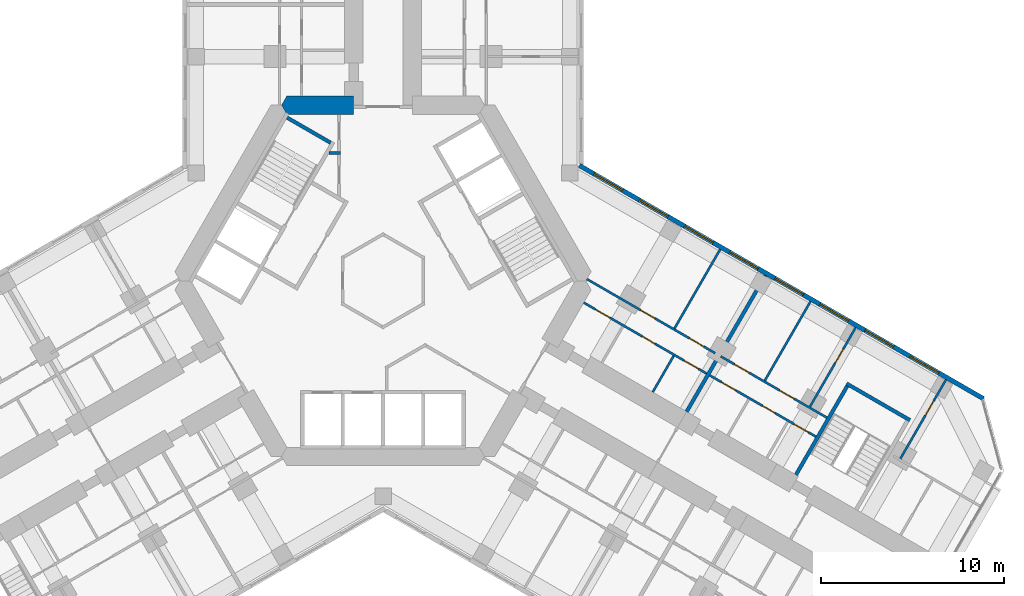
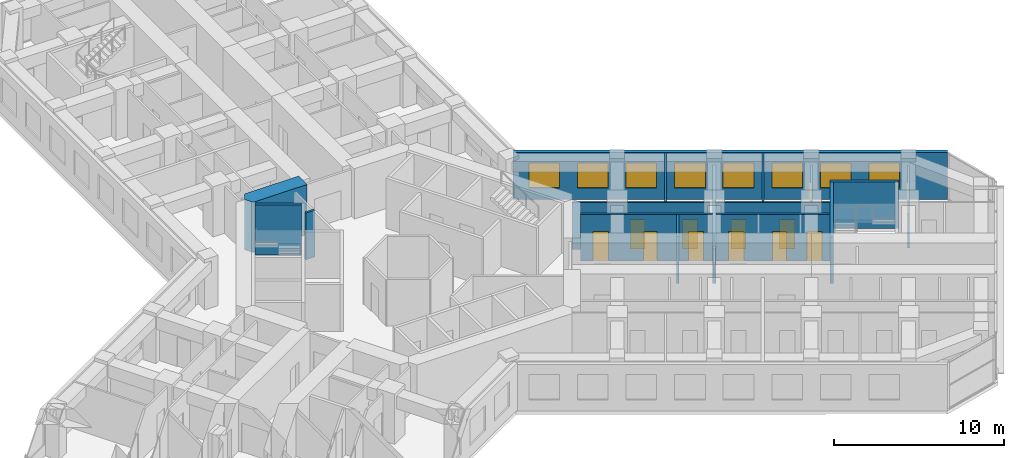
# One storey, part 16 of 21: 16 walls, 12 doors, 8 windows, 20 openings.
"""IFC4 building model written with IfcOpenShell, lengths in metres."""

import ifcopenshell
import ifcopenshell.guid

model = None  # the IFC model being written
_history = None  # IfcOwnerHistory: only IFC2X3 demands one
_inside = {}  # id of a spatial element -> (the spatial element, [elements in it])
_under = {}  # id of a project, library or spatial element -> (it, [spatial elements below it])
_declared = {}  # id of a project -> (the project, [libraries it declares])
_typed = {}  # id of a type object -> (the type object, [elements of that type])
_made_of = {}  # id of a material, layer set ... -> (it, [elements and type objects made of it])


def new_model(schema):
    """Start an empty IFC model of exactly this schema.

    Asked for "IFC4X3", IfcOpenShell would pick the latest addendum, in which some entities
    have other attributes; the version numbers below select the first issue.
    IFC2X3 requires an IfcOwnerHistory on every rooted entity: one is made here for all.
    """
    global model, _history
    if schema == "IFC4X3":
        model = ifcopenshell.file(schema_version=(4, 3, 0, 0))
    else:
        model = ifcopenshell.file(schema=schema)
    _inside.clear()
    _under.clear()
    _declared.clear()
    _typed.clear()
    _made_of.clear()
    _history = None
    if model.schema == "IFC2X3":
        org = make("IfcOrganization", Name="unknown")
        user = make(
            "IfcPersonAndOrganization",
            ThePerson=make("IfcPerson", FamilyName="unknown"),
            TheOrganization=org,
        )
        app = make(
            "IfcApplication",
            ApplicationDeveloper=org,
            Version="unknown",
            ApplicationFullName="unknown",
            ApplicationIdentifier="unknown",
        )
        _history = make(
            "IfcOwnerHistory",
            OwningUser=user,
            OwningApplication=app,
            ChangeAction="ADDED",
            CreationDate=0,
        )
    return model


def make(cls, **values):
    """One entity of the class cls with the attributes given. An attribute that is None is left unset."""
    return model.create_entity(
        cls, **{name: value for name, value in values.items() if value is not None}
    )


def rooted(cls, **values):
    """An entity with a GlobalId (a new one), such as an element, a storey or a relation."""
    return make(cls, GlobalId=ifcopenshell.guid.new(), OwnerHistory=_history, **values)


def si_unit(unit_type, name, prefix=None):
    """IfcSIUnit, for example si_unit("LENGTHUNIT", "METRE", prefix="MILLI")."""
    return make("IfcSIUnit", UnitType=unit_type, Prefix=prefix, Name=name)


def assignment(units):
    """IfcUnitAssignment: the units of a project."""
    return None if units is None else make("IfcUnitAssignment", Units=units)


def point(xyz):
    """IfcCartesianPoint."""
    return None if xyz is None else make("IfcCartesianPoint", Coordinates=xyz)


def direction(xyz):
    """IfcDirection."""
    return None if xyz is None else make("IfcDirection", DirectionRatios=xyz)


def frame(location, z_axis=None, x_axis=None):
    """IfcAxis2Placement3D, a coordinate frame: its origin and axes. An axis left out is left unset."""
    return make(
        "IfcAxis2Placement3D",
        Location=point(location),
        Axis=direction(z_axis),
        RefDirection=direction(x_axis),
    )


def frame_2d(location, x_axis=None):
    """IfcAxis2Placement2D, a coordinate frame in the plane: its origin and x axis."""
    return make(
        "IfcAxis2Placement2D", Location=point(location), RefDirection=direction(x_axis)
    )


def origin():
    """The frame at (0, 0, 0) with its axes left unset."""
    return frame((0.0, 0.0, 0.0))


def place(relative_to, where):
    """IfcLocalPlacement: puts the frame where relative to a parent placement (None: the world)."""
    return make(
        "IfcLocalPlacement", PlacementRelTo=relative_to, RelativePlacement=where
    )


def context(
    kind, dimensions, precision=None, world=None, true_north=None, identifier=None
):
    """IfcGeometricRepresentationContext, for example the 3D "Model" context."""
    return make(
        "IfcGeometricRepresentationContext",
        ContextIdentifier=identifier,
        ContextType=kind,
        CoordinateSpaceDimension=dimensions,
        Precision=precision,
        WorldCoordinateSystem=world,
        TrueNorth=true_north,
    )


def subcontext(parent, identifier, kind, view, scale=None):
    """IfcGeometricRepresentationSubContext, for example "Body" below "Model"."""
    return make(
        "IfcGeometricRepresentationSubContext",
        ContextIdentifier=identifier,
        ContextType=kind,
        ParentContext=parent,
        TargetScale=scale,
        TargetView=view,
    )


def project(units=None, contexts=None):
    """IfcProject with its units and contexts."""
    return rooted(
        "IfcProject",
        Name="project",
        RepresentationContexts=contexts,
        UnitsInContext=assignment(units),
    )


def spatial(cls, under=None, at=None, **own):
    """A site, building, storey or space (cls), placed at a placement, below another one or the project."""
    s = rooted(cls, ObjectPlacement=at, **own)
    if under is not None:
        _under.setdefault(under.id(), (under, []))[1].append(s)
    return s


def polyline(points):
    """IfcPolyline through the points."""
    return make("IfcPolyline", Points=[point(p) for p in points])


def profile(cls, at=None, kind="AREA", **sizes):
    """A parametric profile (cls). Its sizes go by their IFC names, for example OverallWidth=200.0."""
    return make(cls, ProfileType=kind, Position=at, **sizes)


def rectangle(**sizes):
    """IfcRectangleProfileDef."""
    return profile("IfcRectangleProfileDef", **sizes)


def outline(outer, holes=None, kind="AREA"):
    """IfcArbitraryClosedProfileDef: a profile drawn as a closed curve; with holes, ...WithVoids."""
    if holes is None:
        return make("IfcArbitraryClosedProfileDef", ProfileType=kind, OuterCurve=outer)
    return make(
        "IfcArbitraryProfileDefWithVoids",
        ProfileType=kind,
        OuterCurve=outer,
        InnerCurves=holes,
    )


def extrude(swept, where, along, depth):
    """IfcExtrudedAreaSolid: the profile swept, set in the frame where, extruded along a direction by depth."""
    return make(
        "IfcExtrudedAreaSolid",
        SweptArea=swept,
        Position=where,
        ExtrudedDirection=direction(along),
        Depth=depth,
    )


def shape(context_of_items, identifier, shape_type, items):
    """IfcShapeRepresentation: the items that make up one representation, for example the "Body"."""
    return make(
        "IfcShapeRepresentation",
        ContextOfItems=context_of_items,
        RepresentationIdentifier=identifier,
        RepresentationType=shape_type,
        Items=items,
    )


def material(Name=None, Category=None):
    """IfcMaterial."""
    return make("IfcMaterial", Name=Name, Category=Category)


def layer(
    of_material, thickness, ventilated=None, Name=None, Category=None, Priority=None
):
    """IfcMaterialLayer: one layer of a wall or slab, of a material (None: an air gap)."""
    return make(
        "IfcMaterialLayer",
        Material=of_material,
        LayerThickness=thickness,
        IsVentilated=ventilated,
        Name=Name,
        Category=Category,
        Priority=Priority,
    )


def layer_set(layers, Name=None):
    """IfcMaterialLayerSet."""
    return make("IfcMaterialLayerSet", MaterialLayers=layers, LayerSetName=Name)


def made_of(thing, what):
    """Note that an element or type object is made of a material, layer set ...; save() writes the relation."""
    if what is not None:
        _made_of.setdefault(what.id(), (what, []))[1].append(thing)
    return thing


def type_object(cls, material=None, **own):
    """A type object (cls), such as IfcWallType, which elements share."""
    return made_of(rooted(cls, **own), material)


def element(
    cls,
    number,
    at=None,
    inside=None,
    cuts=None,
    type_object=None,
    material=None,
    context=None,
    identifier="Body",
    shape_type=None,
    held_by="IfcProductDefinitionShape",
    body=None,
    shapes=None,
    **own,
):
    """One element of the class cls, such as IfcWall. Its Tag is "e" and its number.

    at: its placement. inside: the storey or other place that contains it. cuts: it is an
    opening in that element (IfcRelVoidsElement). A single representation is given by context,
    identifier, shape_type and body (its items); several are given by shapes. held_by: the class
    of the entity that holds the representations. save() writes the other relations.
    """
    e = rooted(cls, Tag="e%d" % number, ObjectPlacement=at, **own)
    if body is not None:
        shapes = [shape(context, identifier, shape_type, body)]
    if shapes is not None:
        e.Representation = make(held_by, Representations=shapes)
    if inside is not None:
        _inside.setdefault(inside.id(), (inside, []))[1].append(e)
    if cuts is not None:
        rooted(
            "IfcRelVoidsElement", RelatingBuildingElement=cuts, RelatedOpeningElement=e
        )
    if type_object is not None:
        _typed.setdefault(type_object.id(), (type_object, []))[1].append(e)
    return made_of(e, material)


def fill(opening, filler):
    """IfcRelFillsElement: the door or window that sits in an opening."""
    return rooted(
        "IfcRelFillsElement",
        RelatingOpeningElement=opening,
        RelatedBuildingElement=filler,
    )


def aggregate(whole, parts):
    """IfcRelAggregates: a whole, such as a stair, and the parts it consists of."""
    return rooted("IfcRelAggregates", RelatingObject=whole, RelatedObjects=parts)


def save(model, path):
    """Write the relations noted so far, then the file.

    IfcRelAggregates (storeys below a building ...), IfcRelContainedInSpatialStructure (elements
    in a storey), IfcRelDefinesByType, IfcRelAssociatesMaterial and IfcRelDeclares: one each for
    every whole, place, type object, material and project.
    """
    for whole, parts in _under.values():
        aggregate(whole, parts)
    for where, things in _inside.values():
        rooted(
            "IfcRelContainedInSpatialStructure",
            RelatedElements=things,
            RelatingStructure=where,
        )
    for kind, things in _typed.values():
        rooted("IfcRelDefinesByType", RelatedObjects=things, RelatingType=kind)
    for what, things in _made_of.values():
        rooted("IfcRelAssociatesMaterial", RelatedObjects=things, RelatingMaterial=what)
    for by, libraries in _declared.values():
        rooted("IfcRelDeclares", RelatingContext=by, RelatedDefinitions=libraries)
    model.write(path)


model = new_model("IFC4")

# Units and contexts
model_context = context("Model", 3, precision=1e-05, world=origin(), true_north=direction((0.0, 1.0)))
body_context = subcontext(model_context, "Body", "Model", "MODEL_VIEW")
ifc_project = project(units=[si_unit("LENGTHUNIT", "METRE"), si_unit("AREAUNIT", "SQUARE_METRE"), si_unit("VOLUMEUNIT", "CUBIC_METRE"), si_unit("PLANEANGLEUNIT", "RADIAN"), si_unit("MASSUNIT", "GRAM", prefix="KILO")], contexts=[model_context])

# Site, building, storey
site_placement = place(None, origin())
site = spatial("IfcSite", under=ifc_project, at=site_placement, CompositionType="ELEMENT")
building_placement = place(site_placement, origin())
building = spatial("IfcBuilding", under=site, at=building_placement, Name="Kosmar Iwan School Tower", CompositionType="ELEMENT")
storey_placement = place(building_placement, frame((0.0, 0.0, 106.0)))
storey = spatial("IfcBuildingStorey", under=building, at=storey_placement, Name="L26", CompositionType="ELEMENT", Elevation=106.0)

# Walls
ifc_material_1 = material(Name="Gypsum board on steel studs, fire-rated", Category="steel")
ifc_layer_1 = layer(ifc_material_1, 0.14990234375)
ifc_layer_set_1 = layer_set([ifc_layer_1], Name="Core room partition 150")
wall_type_1 = type_object("IfcWallType", Name="Core room partition 150", PredefinedType="PARTITIONING", material=ifc_layer_set_1)
wall_1_placement = place(storey_placement, frame((-2.324951171875, 6.985107421875, 0.0), z_axis=(0.0, 0.0, 1.0), x_axis=(-1.0, 0.0, 0.0)))
element("IfcWall", 1, at=wall_1_placement, inside=storey, type_object=wall_type_1, Name="Core room partition L26-CW2", PredefinedType="PARTITIONING", context=body_context, shape_type="SweptSolid", body=[
    extrude(rectangle(XDim=0.623779296875, YDim=0.14990234375, at=frame_2d((0.31201171875, 0.0))), origin(), (0.0, 0.0, 1.0), 3.35009765625),
])
ifc_material_2 = material(Name="Concrete C50/60", Category="concrete")
ifc_layer_2 = layer(ifc_material_2, 1.0)
ifc_layer_set_2 = layer_set([ifc_layer_2], Name="Core wall 1000")
wall_type_2 = type_object("IfcWallType", Name="Core wall 1000", PredefinedType="SHEAR", material=ifc_layer_set_2)
wall_2_placement = place(storey_placement, origin())
element("IfcWall", 2, at=wall_2_placement, inside=storey, type_object=wall_type_2, Name="Core wall F090b", PredefinedType="SHEAR", context=body_context, shape_type="SweptSolid", body=[
    extrude(outline(polyline([(-5.25390625, 9.10009765625), (-1.60009765625, 9.10009765625), (-1.60009765625, 10.10009765625), (-5.25390625, 10.10009765625), (-5.54248046875, 9.60009765625), (-5.25390625, 9.10009765625)])), origin(), (0.0, 0.0, 1.0), 3.60009765625),
])

# Wall, openings, doors
ifc_material_3 = material(Name="Gypsum board on steel studs", Category="steel")
ifc_layer_3 = layer(ifc_material_3, 0.1201171875)
ifc_layer_set_3 = layer_set([ifc_layer_3], Name="Dwelling partition 120")
wall_type_3 = type_object("IfcWallType", Name="Dwelling partition 120", PredefinedType="PARTITIONING", material=ifc_layer_set_3)
wall_3_placement = place(storey_placement, frame((10.971923828125, -1.1962890625, 0.0), z_axis=(0.0, 0.0, 1.0), x_axis=(0.866024534185, -0.500001506187, 0.0)))
wall_3 = element("IfcWall", 3, at=wall_3_placement, inside=storey, type_object=wall_type_3, Name="Partition L26-CL1-W1", PredefinedType="PARTITIONING", context=body_context, shape_type="SweptSolid", body=[
    extrude(rectangle(XDim=7.75, YDim=0.1201171875, at=frame_2d((3.875, 0.0))), origin(), (0.0, 0.0, 1.0), 3.35009765625),
])
opening_1_placement = place(wall_3_placement, frame((0.75, 0.0, 0.0)))
opening_1 = element("IfcOpeningElement", 4, at=opening_1_placement, cuts=wall_3, Name="Opening D2", PredefinedType="OPENING", context=body_context, shape_type="SweptSolid", body=[
    extrude(rectangle(XDim=0.89990234375, YDim=2.10009765625, at=frame_2d((0.449951171875, 1.050048828125))), frame((0.0, 0.072021484375, 0.0), z_axis=(0.0, -1.0, 0.0), x_axis=(1.0, 0.0, 0.0)), (0.0, 0.0, 1.0), 0.14404296875),
])
opening_2_placement = place(wall_3_placement, frame((3.705078125, 0.0, 0.0)))
opening_2 = element("IfcOpeningElement", 5, at=opening_2_placement, cuts=wall_3, Name="Opening D3", PredefinedType="OPENING", context=body_context, shape_type="SweptSolid", body=[
    extrude(rectangle(XDim=0.800048828125, YDim=2.10009765625, at=frame_2d((0.39990234375, 1.050048828125))), frame((0.0, 0.072021484375, 0.0), z_axis=(0.0, -1.0, 0.0), x_axis=(1.0, 0.0, 0.0)), (0.0, 0.0, 1.0), 0.14404296875),
])
opening_3_placement = place(wall_3_placement, frame((6.330078125, 0.0, 0.0)))
opening_3 = element("IfcOpeningElement", 6, at=opening_3_placement, cuts=wall_3, Name="Opening D2", PredefinedType="OPENING", context=body_context, shape_type="SweptSolid", body=[
    extrude(rectangle(XDim=0.89990234375, YDim=2.10009765625, at=frame_2d((0.449951171875, 1.050048828125))), frame((0.0, 0.072021484375, 0.0), z_axis=(0.0, -1.0, 0.0), x_axis=(1.0, 0.0, 0.0)), (0.0, 0.0, 1.0), 0.14404296875),
])
ifc_material_4 = material(Name="Timber door in timber frame", Category="wood")
door_type_1 = type_object("IfcDoorType", Name="Internal door 900x2100", OperationType="SINGLE_SWING_LEFT", PredefinedType="DOOR", material=ifc_material_4)
door_1_placement = place(opening_1_placement, origin())
door_1 = element("IfcDoor", 7, at=door_1_placement, inside=storey, type_object=door_type_1, Name="Entrance hall door L26-CL1-S1", OperationType="SINGLE_SWING_LEFT", OverallHeight=2.10009765625, OverallWidth=0.89990234375, PredefinedType="DOOR", context=body_context, shape_type="SweptSolid", body=[
    extrude(rectangle(XDim=0.89990234375, YDim=2.10009765625, at=frame_2d((0.449951171875, 1.050048828125))), frame((0.0, 0.02490234375, 0.0), z_axis=(0.0, -1.0, 0.0), x_axis=(1.0, 0.0, 0.0)), (0.0, 0.0, 1.0), 0.050048828125),
])
fill(opening_1, door_1)
door_2_placement = place(opening_3_placement, origin())
door_2 = element("IfcDoor", 8, at=door_2_placement, inside=storey, type_object=door_type_1, Name="Pantry door L26-CL1-S3", OperationType="SINGLE_SWING_RIGHT", OverallHeight=2.10009765625, OverallWidth=0.89990234375, PredefinedType="DOOR", context=body_context, shape_type="SweptSolid", body=[
    extrude(rectangle(XDim=0.89990234375, YDim=2.10009765625, at=frame_2d((0.449951171875, 1.050048828125))), frame((0.0, 0.02490234375, 0.0), z_axis=(0.0, -1.0, 0.0), x_axis=(1.0, 0.0, 0.0)), (0.0, 0.0, 1.0), 0.050048828125),
])
fill(opening_3, door_2)
ifc_material_5 = material(Name="Timber door in timber frame", Category="wood")
door_type_2 = type_object("IfcDoorType", Name="Sanitary room door 800x2100", OperationType="SINGLE_SWING_LEFT", PredefinedType="DOOR", material=ifc_material_5)
door_3_placement = place(opening_2_placement, origin())
door_3 = element("IfcDoor", 9, at=door_3_placement, inside=storey, type_object=door_type_2, Name="Bathroom door L26-CL1-S2", OperationType="SINGLE_SWING_RIGHT", OverallHeight=2.10009765625, OverallWidth=0.800048828125, PredefinedType="DOOR", context=body_context, shape_type="SweptSolid", body=[
    extrude(rectangle(XDim=0.800048828125, YDim=2.10009765625, at=frame_2d((0.39990234375, 1.050048828125))), frame((0.0, 0.02490234375, 0.0), z_axis=(0.0, -1.0, 0.0), x_axis=(1.0, 0.0, 0.0)), (0.0, 0.0, 1.0), 0.050048828125),
])
fill(opening_2, door_3)

wall_4_placement = place(storey_placement, frame((11.138916015625, 0.093017578125, 0.0), z_axis=(0.0, 0.0, 1.0), x_axis=(0.866017937352, -0.500012932018, 0.0)))
wall_4 = element("IfcWall", 10, at=wall_4_placement, inside=storey, type_object=wall_type_3, Name="Partition L26-CL1-W2", PredefinedType="PARTITIONING", context=body_context, shape_type="SweptSolid", body=[
    extrude(rectangle(XDim=8.099853515625, YDim=0.1201171875, at=frame_2d((4.0498046875, 0.0))), origin(), (0.0, 0.0, 1.0), 3.35009765625),
])
opening_4_placement = place(wall_4_placement, frame((3.39990234375, 0.0, 0.0)))
opening_4 = element("IfcOpeningElement", 11, at=opening_4_placement, cuts=wall_4, Name="Opening D2", PredefinedType="OPENING", context=body_context, shape_type="SweptSolid", body=[
    extrude(rectangle(XDim=0.89990234375, YDim=2.10009765625, at=frame_2d((0.449951171875, 1.050048828125))), frame((0.0, 0.072021484375, 0.0), z_axis=(0.0, -1.0, 0.0), x_axis=(1.0, 0.0, 0.0)), (0.0, 0.0, 1.0), 0.14404296875),
])
opening_5_placement = place(wall_4_placement, frame((6.47509765625, 0.0, 0.0)))
opening_5 = element("IfcOpeningElement", 12, at=opening_5_placement, cuts=wall_4, Name="Opening D2", PredefinedType="OPENING", context=body_context, shape_type="SweptSolid", body=[
    extrude(rectangle(XDim=0.89990234375, YDim=2.10009765625, at=frame_2d((0.449951171875, 1.050048828125))), frame((0.0, 0.072021484375, 0.0), z_axis=(0.0, -1.0, 0.0), x_axis=(1.0, 0.0, 0.0)), (0.0, 0.0, 1.0), 0.14404296875),
])
door_4_placement = place(opening_4_placement, origin())
door_4 = element("IfcDoor", 13, at=door_4_placement, inside=storey, type_object=door_type_1, Name="Living room and kitchen door L26-CL1-F1", OperationType="SINGLE_SWING_RIGHT", OverallHeight=2.10009765625, OverallWidth=0.89990234375, PredefinedType="DOOR", context=body_context, shape_type="SweptSolid", body=[
    extrude(rectangle(XDim=0.89990234375, YDim=2.10009765625, at=frame_2d((0.449951171875, 1.050048828125))), frame((0.0, 0.02490234375, 0.0), z_axis=(0.0, -1.0, 0.0), x_axis=(1.0, 0.0, 0.0)), (0.0, 0.0, 1.0), 0.050048828125),
])
fill(opening_4, door_4)
door_5_placement = place(opening_5_placement, origin())
door_5 = element("IfcDoor", 14, at=door_5_placement, inside=storey, type_object=door_type_1, Name="Bedroom 1 door L26-CL1-F2", OperationType="SINGLE_SWING_RIGHT", OverallHeight=2.10009765625, OverallWidth=0.89990234375, PredefinedType="DOOR", context=body_context, shape_type="SweptSolid", body=[
    extrude(rectangle(XDim=0.89990234375, YDim=2.10009765625, at=frame_2d((0.449951171875, 1.050048828125))), frame((0.0, 0.02490234375, 0.0), z_axis=(0.0, -1.0, 0.0), x_axis=(1.0, 0.0, 0.0)), (0.0, 0.0, 1.0), 0.050048828125),
])
fill(opening_5, door_5)

# Walls
wall_5_placement = place(storey_placement, frame((15.931884765625, -2.60498046875, 0.0), z_axis=(0.0, 0.0, 1.0), x_axis=(0.500011847778, 0.866018563358, 0.0)))
element("IfcWall", 15, at=wall_5_placement, inside=storey, type_object=wall_type_3, Name="Partition L26-CL1-X1", PredefinedType="PARTITIONING", context=body_context, shape_type="SweptSolid", body=[
    extrude(rectangle(XDim=4.990234375, YDim=0.1201171875, at=frame_2d((2.4951171875, 0.0))), origin(), (0.0, 0.0, 1.0), 3.35009765625),
])
wall_6_placement = place(storey_placement, frame((14.741943359375, -6.08642578125, 0.0), z_axis=(0.0, 0.0, 1.0), x_axis=(0.499968531483, 0.866043571379, 0.0)))
element("IfcWall", 16, at=wall_6_placement, inside=storey, type_object=wall_type_3, Name="Partition L26-CL1-Y2", PredefinedType="PARTITIONING", context=body_context, shape_type="SweptSolid", body=[
    extrude(rectangle(XDim=2.290283203125, YDim=0.1201171875, at=frame_2d((1.14501953125, 0.0))), origin(), (0.0, 0.0, 1.0), 3.35009765625),
])

# Wall, openings, doors
wall_7_placement = place(storey_placement, frame((17.856689453125, -5.171142578125, 0.0), z_axis=(0.0, 0.0, 1.0), x_axis=(0.866023571113, -0.500003174267, 0.0)))
wall_7 = element("IfcWall", 17, at=wall_7_placement, inside=storey, type_object=wall_type_3, Name="Partition L26-CL2-W1", PredefinedType="PARTITIONING", context=body_context, shape_type="SweptSolid", body=[
    extrude(rectangle(XDim=6.7001953125, YDim=0.1201171875, at=frame_2d((3.35009765625, 0.0))), origin(), (0.0, 0.0, 1.0), 3.35009765625),
])
opening_6_placement = place(wall_7_placement, frame((0.75, 0.0, 0.0)))
opening_6 = element("IfcOpeningElement", 18, at=opening_6_placement, cuts=wall_7, Name="Opening D2", PredefinedType="OPENING", context=body_context, shape_type="SweptSolid", body=[
    extrude(rectangle(XDim=0.89990234375, YDim=2.10009765625, at=frame_2d((0.449951171875, 1.050048828125))), frame((0.0, 0.072021484375, 0.0), z_axis=(0.0, -1.0, 0.0), x_axis=(1.0, 0.0, 0.0)), (0.0, 0.0, 1.0), 0.14404296875),
])
opening_7_placement = place(wall_7_placement, frame((3.330078125, 0.0, 0.0)))
opening_7 = element("IfcOpeningElement", 19, at=opening_7_placement, cuts=wall_7, Name="Opening D3", PredefinedType="OPENING", context=body_context, shape_type="SweptSolid", body=[
    extrude(rectangle(XDim=0.800048828125, YDim=2.10009765625, at=frame_2d((0.39990234375, 1.050048828125))), frame((0.0, 0.072021484375, 0.0), z_axis=(0.0, -1.0, 0.0), x_axis=(1.0, 0.0, 0.0)), (0.0, 0.0, 1.0), 0.14404296875),
])
opening_8_placement = place(wall_7_placement, frame((5.330078125, 0.0, 0.0)))
opening_8 = element("IfcOpeningElement", 20, at=opening_8_placement, cuts=wall_7, Name="Opening D2", PredefinedType="OPENING", context=body_context, shape_type="SweptSolid", body=[
    extrude(rectangle(XDim=0.89990234375, YDim=2.10009765625, at=frame_2d((0.449951171875, 1.050048828125))), frame((0.0, 0.072021484375, 0.0), z_axis=(0.0, -1.0, 0.0), x_axis=(1.0, 0.0, 0.0)), (0.0, 0.0, 1.0), 0.14404296875),
])
door_6_placement = place(opening_6_placement, origin())
door_6 = element("IfcDoor", 21, at=door_6_placement, inside=storey, type_object=door_type_1, Name="Entrance hall door L26-CL2-S1", OperationType="SINGLE_SWING_LEFT", OverallHeight=2.10009765625, OverallWidth=0.89990234375, PredefinedType="DOOR", context=body_context, shape_type="SweptSolid", body=[
    extrude(rectangle(XDim=0.89990234375, YDim=2.10009765625, at=frame_2d((0.449951171875, 1.050048828125))), frame((0.0, 0.02490234375, 0.0), z_axis=(0.0, -1.0, 0.0), x_axis=(1.0, 0.0, 0.0)), (0.0, 0.0, 1.0), 0.050048828125),
])
fill(opening_6, door_6)
door_7_placement = place(opening_8_placement, frame((0.89990234375, 0.0, 0.0), z_axis=(0.0, 0.0, 1.0), x_axis=(-1.0, 0.0, 0.0)))
door_7 = element("IfcDoor", 22, at=door_7_placement, inside=storey, type_object=door_type_1, Name="Pantry door L26-CL2-S3", OperationType="SINGLE_SWING_LEFT", OverallHeight=2.10009765625, OverallWidth=0.89990234375, PredefinedType="DOOR", context=body_context, shape_type="SweptSolid", body=[
    extrude(rectangle(XDim=0.89990234375, YDim=2.10009765625, at=frame_2d((0.449951171875, 1.050048828125))), frame((0.0, 0.02490234375, 0.0), z_axis=(0.0, -1.0, 0.0), x_axis=(1.0, 0.0, 0.0)), (0.0, 0.0, 1.0), 0.050048828125),
])
fill(opening_8, door_7)
door_8_placement = place(opening_7_placement, origin())
door_8 = element("IfcDoor", 23, at=door_8_placement, inside=storey, type_object=door_type_2, Name="Bathroom door L26-CL2-S2", OperationType="SINGLE_SWING_RIGHT", OverallHeight=2.10009765625, OverallWidth=0.800048828125, PredefinedType="DOOR", context=body_context, shape_type="SweptSolid", body=[
    extrude(rectangle(XDim=0.800048828125, YDim=2.10009765625, at=frame_2d((0.39990234375, 1.050048828125))), frame((0.0, 0.02490234375, 0.0), z_axis=(0.0, -1.0, 0.0), x_axis=(1.0, 0.0, 0.0)), (0.0, 0.0, 1.0), 0.050048828125),
])
fill(opening_7, door_8)

wall_8_placement = place(storey_placement, frame((18.456787109375, -4.1318359375, 0.0), z_axis=(0.0, 0.0, 1.0), x_axis=(0.866014461049, -0.500018952895, 0.0)))
wall_8 = element("IfcWall", 24, at=wall_8_placement, inside=storey, type_object=wall_type_3, Name="Partition L26-CL2-W2", PredefinedType="PARTITIONING", context=body_context, shape_type="SweptSolid", body=[
    extrude(rectangle(XDim=6.699951171875, YDim=0.1201171875, at=frame_2d((3.35009765625, 0.0))), origin(), (0.0, 0.0, 1.0), 3.35009765625),
])
opening_9_placement = place(wall_8_placement, frame((0.875, 0.0, 0.0)))
opening_9 = element("IfcOpeningElement", 25, at=opening_9_placement, cuts=wall_8, Name="Opening D2", PredefinedType="OPENING", context=body_context, shape_type="SweptSolid", body=[
    extrude(rectangle(XDim=0.89990234375, YDim=2.10009765625, at=frame_2d((0.449951171875, 1.050048828125))), frame((0.0, 0.072021484375, 0.0), z_axis=(0.0, -1.0, 0.0), x_axis=(1.0, 0.0, 0.0)), (0.0, 0.0, 1.0), 0.14404296875),
])
opening_10_placement = place(wall_8_placement, frame((3.72509765625, 0.0, 0.0)))
opening_10 = element("IfcOpeningElement", 26, at=opening_10_placement, cuts=wall_8, Name="Opening D2", PredefinedType="OPENING", context=body_context, shape_type="SweptSolid", body=[
    extrude(rectangle(XDim=0.89990234375, YDim=2.10009765625, at=frame_2d((0.449951171875, 1.050048828125))), frame((0.0, 0.072021484375, 0.0), z_axis=(0.0, -1.0, 0.0), x_axis=(1.0, 0.0, 0.0)), (0.0, 0.0, 1.0), 0.14404296875),
])
door_9_placement = place(opening_9_placement, origin())
door_9 = element("IfcDoor", 27, at=door_9_placement, inside=storey, type_object=door_type_1, Name="Living room and kitchen door L26-CL2-F1", OperationType="SINGLE_SWING_RIGHT", OverallHeight=2.10009765625, OverallWidth=0.89990234375, PredefinedType="DOOR", context=body_context, shape_type="SweptSolid", body=[
    extrude(rectangle(XDim=0.89990234375, YDim=2.10009765625, at=frame_2d((0.449951171875, 1.050048828125))), frame((0.0, 0.02490234375, 0.0), z_axis=(0.0, -1.0, 0.0), x_axis=(1.0, 0.0, 0.0)), (0.0, 0.0, 1.0), 0.050048828125),
])
fill(opening_9, door_9)
door_10_placement = place(opening_10_placement, origin())
door_10 = element("IfcDoor", 28, at=door_10_placement, inside=storey, type_object=door_type_1, Name="Bedroom 1 door L26-CL2-F2", OperationType="SINGLE_SWING_LEFT", OverallHeight=2.10009765625, OverallWidth=0.89990234375, PredefinedType="DOOR", context=body_context, shape_type="SweptSolid", body=[
    extrude(rectangle(XDim=0.89990234375, YDim=2.10009765625, at=frame_2d((0.449951171875, 1.050048828125))), frame((0.0, 0.02490234375, 0.0), z_axis=(0.0, -1.0, 0.0), x_axis=(1.0, 0.0, 0.0)), (0.0, 0.0, 1.0), 0.050048828125),
])
fill(opening_10, door_10)

# Wall
wall_9_placement = place(storey_placement, frame((20.868408203125, -5.455078125, 0.0), z_axis=(0.0, 0.0, 1.0), x_axis=(0.499975153383, 0.86603974851, 0.0)))
element("IfcWall", 29, at=wall_9_placement, inside=storey, type_object=wall_type_3, Name="Partition L26-CL2-X1", PredefinedType="PARTITIONING", context=body_context, shape_type="SweptSolid", body=[
    extrude(rectangle(XDim=4.989990234375, YDim=0.1201171875, at=frame_2d((2.4951171875, 0.0))), origin(), (0.0, 0.0, 1.0), 3.35009765625),
])

# Wall, opening, door
wall_10_placement = place(storey_placement, frame((23.33642578125, -6.8798828125, 0.0), z_axis=(0.0, 0.0, 1.0), x_axis=(0.500033033937, 0.866006330792, 0.0)))
wall_10 = element("IfcWall", 30, at=wall_10_placement, inside=storey, type_object=wall_type_3, Name="Partition L26-CL2-TB", PredefinedType="PARTITIONING", context=body_context, shape_type="SweptSolid", body=[
    extrude(rectangle(XDim=4.989990234375, YDim=0.1201171875, at=frame_2d((2.4951171875, 0.0))), origin(), (0.0, 0.0, 1.0), 2.449951171875),
])
opening_11_placement = place(wall_10_placement, frame((2.739990234375, 0.0, 0.0)))
opening_11 = element("IfcOpeningElement", 31, at=opening_11_placement, cuts=wall_10, Name="Opening D2", PredefinedType="OPENING", context=body_context, shape_type="SweptSolid", body=[
    extrude(rectangle(XDim=0.89990234375, YDim=2.10009765625, at=frame_2d((0.449951171875, 1.050048828125))), frame((0.0, 0.072021484375, 0.0), z_axis=(0.0, -1.0, 0.0), x_axis=(1.0, 0.0, 0.0)), (0.0, 0.0, 1.0), 0.14404296875),
])
door_11_placement = place(opening_11_placement, origin())
door_11 = element("IfcDoor", 32, at=door_11_placement, inside=storey, type_object=door_type_1, Name="Study door L26-CL2-F2", OperationType="SINGLE_SWING_RIGHT", OverallHeight=2.10009765625, OverallWidth=0.89990234375, PredefinedType="DOOR", context=body_context, shape_type="SweptSolid", body=[
    extrude(rectangle(XDim=0.89990234375, YDim=2.10009765625, at=frame_2d((0.449951171875, 1.050048828125))), frame((0.0, 0.02490234375, 0.0), z_axis=(0.0, -1.0, 0.0), x_axis=(1.0, 0.0, 0.0)), (0.0, 0.0, 1.0), 0.050048828125),
])
fill(opening_11, door_11)

wall_11_placement = place(storey_placement, frame((28.27294921875, -9.72998046875, 0.0), z_axis=(0.0, 0.0, 1.0), x_axis=(0.499975153383, 0.86603974851, 0.0)))
wall_11 = element("IfcWall", 33, at=wall_11_placement, inside=storey, type_object=wall_type_3, Name="Partition L26-CL2-TX", PredefinedType="PARTITIONING", context=body_context, shape_type="SweptSolid", body=[
    extrude(rectangle(XDim=4.989990234375, YDim=0.1201171875, at=frame_2d((2.4951171875, 0.0))), origin(), (0.0, 0.0, 1.0), 2.449951171875),
])
opening_12_placement = place(wall_11_placement, frame((2.739990234375, 0.0, 0.0)))
opening_12 = element("IfcOpeningElement", 34, at=opening_12_placement, cuts=wall_11, Name="Opening D2", PredefinedType="OPENING", context=body_context, shape_type="SweptSolid", body=[
    extrude(rectangle(XDim=0.89990234375, YDim=2.10009765625, at=frame_2d((0.449951171875, 1.050048828125))), frame((0.0, 0.072021484375, 0.0), z_axis=(0.0, -1.0, 0.0), x_axis=(1.0, 0.0, 0.0)), (0.0, 0.0, 1.0), 0.14404296875),
])
door_12_placement = place(opening_12_placement, origin())
door_12 = element("IfcDoor", 35, at=door_12_placement, inside=storey, type_object=door_type_1, Name="Study door L26-CL2-T1", OperationType="SINGLE_SWING_RIGHT", OverallHeight=2.10009765625, OverallWidth=0.89990234375, PredefinedType="DOOR", context=body_context, shape_type="SweptSolid", body=[
    extrude(rectangle(XDim=0.89990234375, YDim=2.10009765625, at=frame_2d((0.449951171875, 1.050048828125))), frame((0.0, 0.02490234375, 0.0), z_axis=(0.0, -1.0, 0.0), x_axis=(1.0, 0.0, 0.0)), (0.0, 0.0, 1.0), 0.050048828125),
])
fill(opening_12, door_12)

# Walls
ifc_material_6 = material(Name="Concrete C35/45", Category="concrete")
ifc_layer_4 = layer(ifc_material_6, 0.199951171875)
ifc_layer_set_4 = layer_set([ifc_layer_4], Name="Escape stair wall 200")
wall_type_4 = type_object("IfcWallType", Name="Escape stair wall 200", PredefinedType="SHEAR", material=ifc_layer_set_4)
wall_12_placement = place(storey_placement, frame((22.57080078125, -10.6064453125, 0.0), z_axis=(0.0, 0.0, 1.0), x_axis=(0.499987231761, 0.866032775405, 0.0)))
element("IfcWall", 36, at=wall_12_placement, inside=storey, type_object=wall_type_4, Name="Stair WS3 wall", PredefinedType="SHEAR", context=body_context, shape_type="SweptSolid", body=[
    extrude(rectangle(XDim=5.800048828125, YDim=0.199951171875, at=frame_2d((2.89990234375, 0.0))), origin(), (0.0, 0.0, 1.0), 3.330078125),
])
wall_13_placement = place(storey_placement, frame((25.334228515625, -5.6201171875, 0.0), z_axis=(0.0, 0.0, 1.0), x_axis=(0.866026010844, -0.49999894854, 0.0)))
element("IfcWall", 37, at=wall_13_placement, inside=storey, type_object=wall_type_4, Name="Stair WS3 wall", PredefinedType="SHEAR", context=body_context, shape_type="SweptSolid", body=[
    extrude(rectangle(XDim=4.0, YDim=0.199951171875, at=frame_2d((2.0, 0.0))), origin(), (0.0, 0.0, 1.0), 3.330078125),
])

# Wall, openings, windows
ifc_material_7 = material(Name="Black aluminium rainscreen on insulated framing", Category="aluminium")
ifc_layer_5 = layer(ifc_material_7, 0.25)
ifc_layer_set_5 = layer_set([ifc_layer_5], Name="External wall rainscreen 250")
wall_type_5 = type_object("IfcWallType", Name="External wall rainscreen 250", PredefinedType="SOLIDWALL", material=ifc_layer_set_5)
wall_14_placement = place(storey_placement, frame((10.73681640625, 6.30078125, 0.0), z_axis=(0.0, 0.0, 1.0), x_axis=(0.866026390279, -0.499998291337, 0.0)))
wall_14 = element("IfcWall", 38, at=wall_14_placement, inside=storey, type_object=wall_type_5, Name="External wall CL L26", PredefinedType="SOLIDWALL", context=body_context, shape_type="SweptSolid", body=[
    extrude(rectangle(XDim=25.4873046875, YDim=0.25, at=frame_2d((12.74365234375, 0.0))), origin(), (0.0, 0.0, 1.0), 3.35009765625),
])
opening_13_placement = place(wall_14_placement, frame((0.927001953125, 0.0, 0.800048828125)))
opening_13 = element("IfcOpeningElement", 39, at=opening_13_placement, cuts=wall_14, Name="Opening W1", PredefinedType="OPENING", context=body_context, shape_type="SweptSolid", body=[
    extrude(rectangle(XDim=1.800048828125, YDim=1.800048828125, at=frame_2d((0.89990234375, 0.89990234375))), frame((0.0, 0.136962890625, 0.0), z_axis=(0.0, -1.0, 0.0), x_axis=(1.0, 0.0, 0.0)), (0.0, 0.0, 1.0), 0.27392578125),
])
opening_14_placement = place(wall_14_placement, frame((3.777099609375, 0.0, 0.800048828125)))
opening_14 = element("IfcOpeningElement", 40, at=opening_14_placement, cuts=wall_14, Name="Opening W1", PredefinedType="OPENING", context=body_context, shape_type="SweptSolid", body=[
    extrude(rectangle(XDim=1.800048828125, YDim=1.800048828125, at=frame_2d((0.89990234375, 0.89990234375))), frame((0.0, 0.136962890625, 0.0), z_axis=(0.0, -1.0, 0.0), x_axis=(1.0, 0.0, 0.0)), (0.0, 0.0, 1.0), 0.27392578125),
])
opening_15_placement = place(wall_14_placement, frame((6.626953125, 0.0, 0.800048828125)))
opening_15 = element("IfcOpeningElement", 41, at=opening_15_placement, cuts=wall_14, Name="Opening W1", PredefinedType="OPENING", context=body_context, shape_type="SweptSolid", body=[
    extrude(rectangle(XDim=1.800048828125, YDim=1.800048828125, at=frame_2d((0.89990234375, 0.89990234375))), frame((0.0, 0.136962890625, 0.0), z_axis=(0.0, -1.0, 0.0), x_axis=(1.0, 0.0, 0.0)), (0.0, 0.0, 1.0), 0.27392578125),
])
opening_16_placement = place(wall_14_placement, frame((9.47705078125, 0.0, 0.800048828125)))
opening_16 = element("IfcOpeningElement", 42, at=opening_16_placement, cuts=wall_14, Name="Opening W1", PredefinedType="OPENING", context=body_context, shape_type="SweptSolid", body=[
    extrude(rectangle(XDim=1.800048828125, YDim=1.800048828125, at=frame_2d((0.89990234375, 0.89990234375))), frame((0.0, 0.136962890625, 0.0), z_axis=(0.0, -1.0, 0.0), x_axis=(1.0, 0.0, 0.0)), (0.0, 0.0, 1.0), 0.27392578125),
])
opening_17_placement = place(wall_14_placement, frame((12.326904296875, 0.0, 0.800048828125)))
opening_17 = element("IfcOpeningElement", 43, at=opening_17_placement, cuts=wall_14, Name="Opening W1", PredefinedType="OPENING", context=body_context, shape_type="SweptSolid", body=[
    extrude(rectangle(XDim=1.800048828125, YDim=1.800048828125, at=frame_2d((0.89990234375, 0.89990234375))), frame((0.0, 0.136962890625, 0.0), z_axis=(0.0, -1.0, 0.0), x_axis=(1.0, 0.0, 0.0)), (0.0, 0.0, 1.0), 0.27392578125),
])
opening_18_placement = place(wall_14_placement, frame((15.177001953125, 0.0, 0.800048828125)))
opening_18 = element("IfcOpeningElement", 44, at=opening_18_placement, cuts=wall_14, Name="Opening W1", PredefinedType="OPENING", context=body_context, shape_type="SweptSolid", body=[
    extrude(rectangle(XDim=1.800048828125, YDim=1.800048828125, at=frame_2d((0.89990234375, 0.89990234375))), frame((0.0, 0.136962890625, 0.0), z_axis=(0.0, -1.0, 0.0), x_axis=(1.0, 0.0, 0.0)), (0.0, 0.0, 1.0), 0.27392578125),
])
opening_19_placement = place(wall_14_placement, frame((18.027099609375, 0.0, 0.800048828125)))
opening_19 = element("IfcOpeningElement", 45, at=opening_19_placement, cuts=wall_14, Name="Opening W1", PredefinedType="OPENING", context=body_context, shape_type="SweptSolid", body=[
    extrude(rectangle(XDim=1.800048828125, YDim=1.800048828125, at=frame_2d((0.89990234375, 0.89990234375))), frame((0.0, 0.136962890625, 0.0), z_axis=(0.0, -1.0, 0.0), x_axis=(1.0, 0.0, 0.0)), (0.0, 0.0, 1.0), 0.27392578125),
])
opening_20_placement = place(wall_14_placement, frame((20.876953125, 0.0, 0.800048828125)))
opening_20 = element("IfcOpeningElement", 46, at=opening_20_placement, cuts=wall_14, Name="Opening W1", PredefinedType="OPENING", context=body_context, shape_type="SweptSolid", body=[
    extrude(rectangle(XDim=1.800048828125, YDim=1.800048828125, at=frame_2d((0.89990234375, 0.89990234375))), frame((0.0, 0.136962890625, 0.0), z_axis=(0.0, -1.0, 0.0), x_axis=(1.0, 0.0, 0.0)), (0.0, 0.0, 1.0), 0.27392578125),
])
ifc_material_8 = material(Name="Black aluminium frame with dark triple glazing", Category="aluminium")
window_type = type_object("IfcWindowType", Name="Window 1800x1800", PartitioningType="SINGLE_PANEL", PredefinedType="WINDOW", material=ifc_material_8)
window_1_placement = place(opening_13_placement, origin())
window_1 = element("IfcWindow", 47, at=window_1_placement, inside=storey, type_object=window_type, Name="Window CL L26 -1", OverallHeight=1.800048828125, OverallWidth=1.800048828125, PartitioningType="SINGLE_PANEL", PredefinedType="WINDOW", context=body_context, shape_type="SweptSolid", body=[
    extrude(rectangle(XDim=1.800048828125, YDim=1.800048828125, at=frame_2d((0.89990234375, 0.89990234375))), frame((0.0, 0.030029296875, 0.0), z_axis=(0.0, -1.0, 0.0), x_axis=(1.0, 0.0, 0.0)), (0.0, 0.0, 1.0), 0.06005859375),
])
fill(opening_13, window_1)
window_2_placement = place(opening_14_placement, origin())
window_2 = element("IfcWindow", 48, at=window_2_placement, inside=storey, type_object=window_type, Name="Window CL L26 0", OverallHeight=1.800048828125, OverallWidth=1.800048828125, PartitioningType="SINGLE_PANEL", PredefinedType="WINDOW", context=body_context, shape_type="SweptSolid", body=[
    extrude(rectangle(XDim=1.800048828125, YDim=1.800048828125, at=frame_2d((0.89990234375, 0.89990234375))), frame((0.0, 0.030029296875, 0.0), z_axis=(0.0, -1.0, 0.0), x_axis=(1.0, 0.0, 0.0)), (0.0, 0.0, 1.0), 0.06005859375),
])
fill(opening_14, window_2)
window_3_placement = place(opening_15_placement, origin())
window_3 = element("IfcWindow", 49, at=window_3_placement, inside=storey, type_object=window_type, Name="Window CL L26 1", OverallHeight=1.800048828125, OverallWidth=1.800048828125, PartitioningType="SINGLE_PANEL", PredefinedType="WINDOW", context=body_context, shape_type="SweptSolid", body=[
    extrude(rectangle(XDim=1.800048828125, YDim=1.800048828125, at=frame_2d((0.89990234375, 0.89990234375))), frame((0.0, 0.030029296875, 0.0), z_axis=(0.0, -1.0, 0.0), x_axis=(1.0, 0.0, 0.0)), (0.0, 0.0, 1.0), 0.06005859375),
])
fill(opening_15, window_3)
window_4_placement = place(opening_16_placement, origin())
window_4 = element("IfcWindow", 50, at=window_4_placement, inside=storey, type_object=window_type, Name="Window CL L26 2", OverallHeight=1.800048828125, OverallWidth=1.800048828125, PartitioningType="SINGLE_PANEL", PredefinedType="WINDOW", context=body_context, shape_type="SweptSolid", body=[
    extrude(rectangle(XDim=1.800048828125, YDim=1.800048828125, at=frame_2d((0.89990234375, 0.89990234375))), frame((0.0, 0.030029296875, 0.0), z_axis=(0.0, -1.0, 0.0), x_axis=(1.0, 0.0, 0.0)), (0.0, 0.0, 1.0), 0.06005859375),
])
fill(opening_16, window_4)
window_5_placement = place(opening_17_placement, origin())
window_5 = element("IfcWindow", 51, at=window_5_placement, inside=storey, type_object=window_type, Name="Window CL L26 3", OverallHeight=1.800048828125, OverallWidth=1.800048828125, PartitioningType="SINGLE_PANEL", PredefinedType="WINDOW", context=body_context, shape_type="SweptSolid", body=[
    extrude(rectangle(XDim=1.800048828125, YDim=1.800048828125, at=frame_2d((0.89990234375, 0.89990234375))), frame((0.0, 0.030029296875, 0.0), z_axis=(0.0, -1.0, 0.0), x_axis=(1.0, 0.0, 0.0)), (0.0, 0.0, 1.0), 0.06005859375),
])
fill(opening_17, window_5)
window_6_placement = place(opening_18_placement, origin())
window_6 = element("IfcWindow", 52, at=window_6_placement, inside=storey, type_object=window_type, Name="Window CL L26 4", OverallHeight=1.800048828125, OverallWidth=1.800048828125, PartitioningType="SINGLE_PANEL", PredefinedType="WINDOW", context=body_context, shape_type="SweptSolid", body=[
    extrude(rectangle(XDim=1.800048828125, YDim=1.800048828125, at=frame_2d((0.89990234375, 0.89990234375))), frame((0.0, 0.030029296875, 0.0), z_axis=(0.0, -1.0, 0.0), x_axis=(1.0, 0.0, 0.0)), (0.0, 0.0, 1.0), 0.06005859375),
])
fill(opening_18, window_6)
window_7_placement = place(opening_19_placement, origin())
window_7 = element("IfcWindow", 53, at=window_7_placement, inside=storey, type_object=window_type, Name="Window CL L26 5", OverallHeight=1.800048828125, OverallWidth=1.800048828125, PartitioningType="SINGLE_PANEL", PredefinedType="WINDOW", context=body_context, shape_type="SweptSolid", body=[
    extrude(rectangle(XDim=1.800048828125, YDim=1.800048828125, at=frame_2d((0.89990234375, 0.89990234375))), frame((0.0, 0.030029296875, 0.0), z_axis=(0.0, -1.0, 0.0), x_axis=(1.0, 0.0, 0.0)), (0.0, 0.0, 1.0), 0.06005859375),
])
fill(opening_19, window_7)
window_8_placement = place(opening_20_placement, origin())
window_8 = element("IfcWindow", 54, at=window_8_placement, inside=storey, type_object=window_type, Name="Window CL L26 6", OverallHeight=1.800048828125, OverallWidth=1.800048828125, PartitioningType="SINGLE_PANEL", PredefinedType="WINDOW", context=body_context, shape_type="SweptSolid", body=[
    extrude(rectangle(XDim=1.800048828125, YDim=1.800048828125, at=frame_2d((0.89990234375, 0.89990234375))), frame((0.0, 0.030029296875, 0.0), z_axis=(0.0, -1.0, 0.0), x_axis=(1.0, 0.0, 0.0)), (0.0, 0.0, 1.0), 0.06005859375),
])
fill(opening_20, window_8)

# Walls
ifc_material_9 = material(Name="Concrete block masonry", Category="masonry")
ifc_layer_6 = layer(ifc_material_9, 0.199951171875)
ifc_layer_set_6 = layer_set([ifc_layer_6], Name="Party wall 200")
wall_type_6 = type_object("IfcWallType", Name="Party wall 200", PredefinedType="PARTITIONING", material=ifc_layer_set_6)
wall_15_placement = place(storey_placement, frame((16.59521484375, -7.15625, 0.0), z_axis=(0.0, 0.0, 1.0), x_axis=(0.500007509209, 0.866021068297, 0.0)))
element("IfcWall", 55, at=wall_15_placement, inside=storey, type_object=wall_type_6, Name="Partition L26-CL2-PW", PredefinedType="PARTITIONING", context=body_context, shape_type="SweptSolid", body=[
    extrude(rectangle(XDim=8.599853515625, YDim=0.199951171875, at=frame_2d((4.2998046875, 0.0))), origin(), (0.0, 0.0, 1.0), 2.449951171875),
])
ifc_material_10 = material(Name="Concrete C50/60", Category="concrete")
ifc_layer_7 = layer(ifc_material_10, 0.199951171875)
ifc_layer_set_7 = layer_set([ifc_layer_7], Name="Stair enclosure wall 200")
wall_type_7 = type_object("IfcWallType", Name="Stair enclosure wall 200", PredefinedType="SHEAR", material=ifc_layer_set_7)
wall_16_placement = place(storey_placement, frame((-2.862548828125, 7.541748046875, 0.0), z_axis=(0.0, 0.0, 1.0), x_axis=(-0.866027397988, 0.499996545922, 0.0)))
element("IfcWall", 56, at=wall_16_placement, inside=storey, type_object=wall_type_7, Name="Stair ST2 wall", PredefinedType="SHEAR", context=body_context, shape_type="SweptSolid", body=[
    extrude(rectangle(XDim=2.75, YDim=0.199951171875, at=frame_2d((1.375, 0.0))), origin(), (0.0, 0.0, 1.0), 3.60009765625),
])

save(model, "model.ifc")
